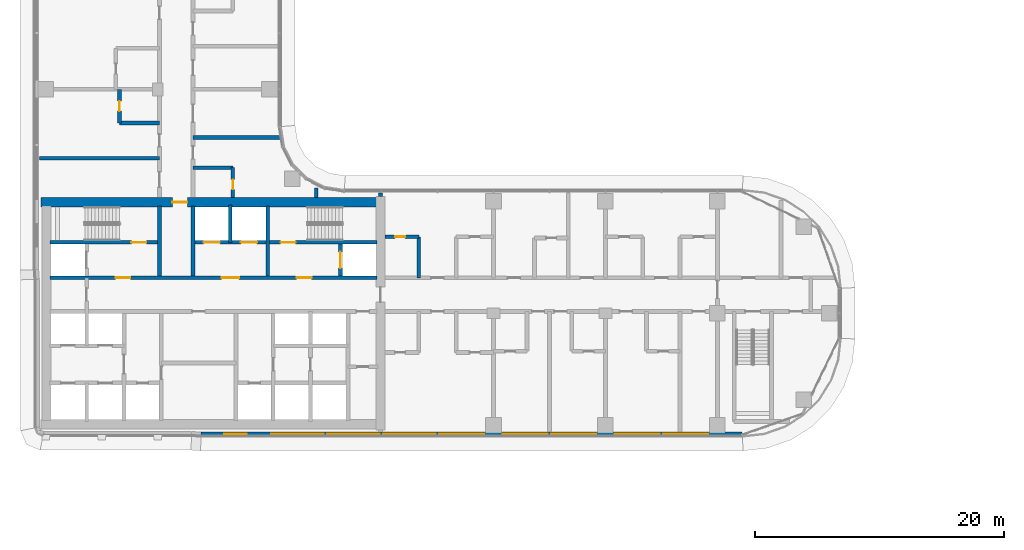
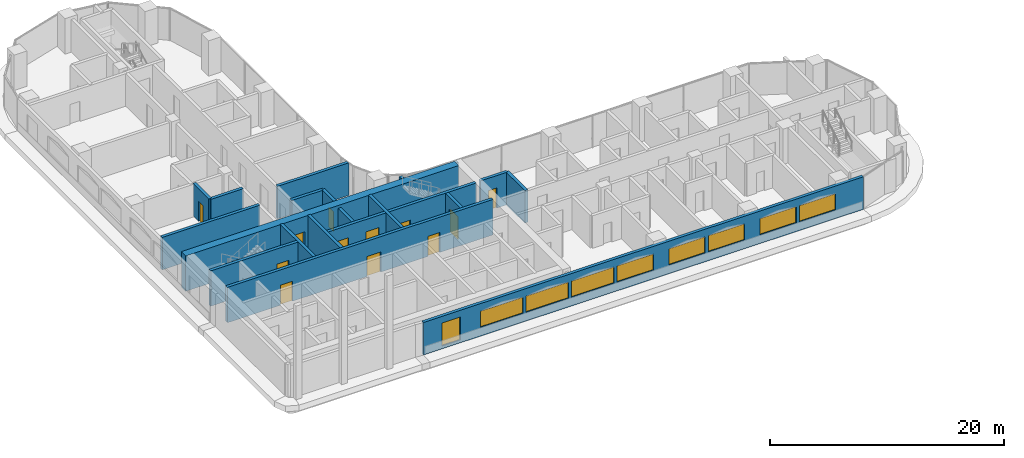
# One storey, part 21 of 40: 20 walls, 12 doors, 9 windows, 21 openings.
"""IFC4 building model written with IfcOpenShell, lengths in metres."""

from ifc_helpers import new_model, si_unit, direction, frame, frame_2d, origin, place, context, subcontext, project, spatial, rectangle, extrude, material, layer, layer_set, type_object, element, fill, save


model = new_model("IFC4")

# Units and contexts
model_context = context("Model", 3, precision=1e-05, world=origin(), true_north=direction((0.0, 1.0)))
body_context = subcontext(model_context, "Body", "Model", "MODEL_VIEW")
ifc_project = project(units=[si_unit("LENGTHUNIT", "METRE"), si_unit("AREAUNIT", "SQUARE_METRE"), si_unit("VOLUMEUNIT", "CUBIC_METRE"), si_unit("PLANEANGLEUNIT", "RADIAN"), si_unit("MASSUNIT", "GRAM", prefix="KILO")], contexts=[model_context])

# Site, building, storey
site_placement = place(None, origin())
site = spatial("IfcSite", under=ifc_project, at=site_placement, CompositionType="ELEMENT")
building_placement = place(site_placement, origin())
building = spatial("IfcBuilding", under=site, at=building_placement, Name="Ogive Portal Towers", CompositionType="ELEMENT")
storey_placement = place(building_placement, frame((0.0, 0.0, 87.10009765625)))
storey = spatial("IfcBuildingStorey", under=building, at=storey_placement, Name="L20", CompositionType="ELEMENT", Elevation=87.10009765625)

# Wall, openings, doors
ifc_material_1 = material(Name="Concrete C60/75", Category="concrete")
ifc_layer_1 = layer(ifc_material_1, 0.300048828125)
ifc_layer_set_1 = layer_set([ifc_layer_1], Name="CORE WALL 300 C60")
wall_type_1 = type_object("IfcWallType", Name="CORE WALL 300 C60", PredefinedType="SHEAR", material=ifc_layer_set_1)
wall_1_placement = place(storey_placement, frame((31.875, 33.35009765625, 0.0), z_axis=(0.0, 0.0, 1.0), x_axis=(1.0, 0.0, 0.0)))
wall_1 = element("IfcWall", 1, at=wall_1_placement, inside=storey, type_object=wall_type_1, Name="Core wall Y2 L20", PredefinedType="SHEAR", context=body_context, shape_type="SweptSolid", body=[
    extrude(rectangle(XDim=26.25, YDim=0.300048828125, at=frame_2d((13.125, 0.0))), origin(), (0.0, 0.0, 1.0), 3.699951171875),
])
opening_1_placement = place(wall_1_placement, frame((13.77490234375, 0.0, 0.0)))
opening_1 = element("IfcOpeningElement", 2, at=opening_1_placement, cuts=wall_1, Name="Opening D07-002", PredefinedType="OPENING", context=body_context, shape_type="SweptSolid", body=[
    extrude(rectangle(XDim=1.39990234375, YDim=2.10009765625, at=frame_2d((0.699951171875, 1.050048828125))), frame((0.0, 0.16015625, 0.0), z_axis=(0.0, -1.0, 0.0), x_axis=(1.0, 0.0, 0.0)), (0.0, 0.0, 1.0), 0.320068359375),
])
opening_2_placement = place(wall_1_placement, frame((5.25, 0.0, 0.0)))
opening_2 = element("IfcOpeningElement", 3, at=opening_2_placement, cuts=wall_1, Name="Opening D07-003", PredefinedType="OPENING", context=body_context, shape_type="SweptSolid", body=[
    extrude(rectangle(XDim=1.199951171875, YDim=2.10009765625, at=frame_2d((0.60009765625, 1.050048828125))), frame((0.0, 0.16015625, 0.0), z_axis=(0.0, -1.0, 0.0), x_axis=(1.0, 0.0, 0.0)), (0.0, 0.0, 1.0), 0.320068359375),
])
opening_3_placement = place(wall_1_placement, frame((19.800048828125, 0.0, 0.0)))
opening_3 = element("IfcOpeningElement", 4, at=opening_3_placement, cuts=wall_1, Name="Opening D07-004", PredefinedType="OPENING", context=body_context, shape_type="SweptSolid", body=[
    extrude(rectangle(XDim=1.199951171875, YDim=2.10009765625, at=frame_2d((0.60009765625, 1.050048828125))), frame((0.0, 0.16015625, 0.0), z_axis=(0.0, -1.0, 0.0), x_axis=(1.0, 0.0, 0.0)), (0.0, 0.0, 1.0), 0.320068359375),
])
ifc_material_2 = material(Name="Steel fire door", Category="steel")
door_type_1 = type_object("IfcDoorType", Name="DT-SWING-1200x2100-FD90S", OperationType="SINGLE_SWING_LEFT", PredefinedType="DOOR", material=ifc_material_2)
door_1_placement = place(opening_2_placement, origin())
door_1 = element("IfcDoor", 5, at=door_1_placement, inside=storey, type_object=door_type_1, Name="Door D07-003", OperationType="SINGLE_SWING_LEFT", OverallHeight=2.10009765625, OverallWidth=1.199951171875, PredefinedType="DOOR", context=body_context, shape_type="SweptSolid", body=[
    extrude(rectangle(XDim=1.199951171875, YDim=2.10009765625, at=frame_2d((0.60009765625, 1.050048828125))), frame((0.0, 0.02490234375, 0.0), z_axis=(0.0, -1.0, 0.0), x_axis=(1.0, 0.0, 0.0)), (0.0, 0.0, 1.0), 0.050048828125),
])
fill(opening_2, door_1)
door_2_placement = place(opening_3_placement, origin())
door_2 = element("IfcDoor", 6, at=door_2_placement, inside=storey, type_object=door_type_1, Name="Door D07-004", OperationType="SINGLE_SWING_RIGHT", OverallHeight=2.10009765625, OverallWidth=1.199951171875, PredefinedType="DOOR", context=body_context, shape_type="SweptSolid", body=[
    extrude(rectangle(XDim=1.199951171875, YDim=2.10009765625, at=frame_2d((0.60009765625, 1.050048828125))), frame((0.0, 0.02490234375, 0.0), z_axis=(0.0, -1.0, 0.0), x_axis=(1.0, 0.0, 0.0)), (0.0, 0.0, 1.0), 0.050048828125),
])
fill(opening_3, door_2)
door_type_2 = type_object("IfcDoorType", Name="DT-SWING-1400x2100-FD90S", OperationType="SINGLE_SWING_LEFT", PredefinedType="DOOR", material=ifc_material_2)
door_3_placement = place(opening_1_placement, origin())
door_3 = element("IfcDoor", 7, at=door_3_placement, inside=storey, type_object=door_type_2, Name="Door D07-002", OperationType="SINGLE_SWING_RIGHT", OverallHeight=2.10009765625, OverallWidth=1.39990234375, PredefinedType="DOOR", context=body_context, shape_type="SweptSolid", body=[
    extrude(rectangle(XDim=1.39990234375, YDim=2.10009765625, at=frame_2d((0.699951171875, 1.050048828125))), frame((0.0, 0.02490234375, 0.0), z_axis=(0.0, -1.0, 0.0), x_axis=(1.0, 0.0, 0.0)), (0.0, 0.0, 1.0), 0.050048828125),
])
fill(opening_1, door_3)

# Wall, opening, door
wall_2_placement = place(storey_placement, frame((31.875, 36.199951171875, 0.0), z_axis=(0.0, 0.0, 1.0), x_axis=(1.0, 0.0, 0.0)))
wall_2 = element("IfcWall", 8, at=wall_2_placement, inside=storey, type_object=wall_type_1, Name="Core wall Y3a L20", PredefinedType="SHEAR", context=body_context, shape_type="SweptSolid", body=[
    extrude(rectangle(XDim=8.625, YDim=0.300048828125, at=frame_2d((4.3125, 0.0))), origin(), (0.0, 0.0, 1.0), 3.699951171875),
])
opening_4_placement = place(wall_2_placement, frame((6.52490234375, 0.0, 0.0)))
opening_4 = element("IfcOpeningElement", 9, at=opening_4_placement, cuts=wall_2, Name="Opening D07-005", PredefinedType="OPENING", context=body_context, shape_type="SweptSolid", body=[
    extrude(rectangle(XDim=1.199951171875, YDim=2.10009765625, at=frame_2d((0.60009765625, 1.050048828125))), frame((0.0, 0.16015625, 0.0), z_axis=(0.0, -1.0, 0.0), x_axis=(1.0, 0.0, 0.0)), (0.0, 0.0, 1.0), 0.320068359375),
])
door_4_placement = place(opening_4_placement, origin())
door_4 = element("IfcDoor", 10, at=door_4_placement, inside=storey, type_object=door_type_1, Name="Door D07-005", OperationType="SINGLE_SWING_RIGHT", OverallHeight=2.10009765625, OverallWidth=1.199951171875, PredefinedType="DOOR", context=body_context, shape_type="SweptSolid", body=[
    extrude(rectangle(XDim=1.199951171875, YDim=2.10009765625, at=frame_2d((0.60009765625, 1.050048828125))), frame((0.0, 0.02490234375, 0.0), z_axis=(0.0, -1.0, 0.0), x_axis=(1.0, 0.0, 0.0)), (0.0, 0.0, 1.0), 0.050048828125),
])
fill(opening_4, door_4)

# Wall, openings, doors
wall_3_placement = place(storey_placement, frame((43.5, 36.199951171875, 0.0), z_axis=(0.0, 0.0, 1.0), x_axis=(1.0, 0.0, 0.0)))
wall_3 = element("IfcWall", 11, at=wall_3_placement, inside=storey, type_object=wall_type_1, Name="Core wall Y3b L20", PredefinedType="SHEAR", context=body_context, shape_type="SweptSolid", body=[
    extrude(rectangle(XDim=14.625, YDim=0.300048828125, at=frame_2d((7.3125, 0.0))), origin(), (0.0, 0.0, 1.0), 3.699951171875),
])
opening_5_placement = place(wall_3_placement, frame((6.89990234375, 0.0, 0.0)))
opening_5 = element("IfcOpeningElement", 12, at=opening_5_placement, cuts=wall_3, Name="Opening D07-006", PredefinedType="OPENING", context=body_context, shape_type="SweptSolid", body=[
    extrude(rectangle(XDim=1.199951171875, YDim=2.10009765625, at=frame_2d((0.60009765625, 1.050048828125))), frame((0.0, 0.16015625, 0.0), z_axis=(0.0, -1.0, 0.0), x_axis=(1.0, 0.0, 0.0)), (0.0, 0.0, 1.0), 0.320068359375),
])
opening_6_placement = place(wall_3_placement, frame((0.699951171875, 0.0, 0.0)))
opening_6 = element("IfcOpeningElement", 13, at=opening_6_placement, cuts=wall_3, Name="Opening D07-017", PredefinedType="OPENING", context=body_context, shape_type="SweptSolid", body=[
    extrude(rectangle(XDim=1.300048828125, YDim=2.39990234375, at=frame_2d((0.64990234375, 1.199951171875))), frame((0.0, 0.16015625, 0.0), z_axis=(0.0, -1.0, 0.0), x_axis=(1.0, 0.0, 0.0)), (0.0, 0.0, 1.0), 0.320068359375),
])
opening_7_placement = place(wall_3_placement, frame((3.699951171875, 0.0, 0.0)))
opening_7 = element("IfcOpeningElement", 14, at=opening_7_placement, cuts=wall_3, Name="Opening D07-018", PredefinedType="OPENING", context=body_context, shape_type="SweptSolid", body=[
    extrude(rectangle(XDim=1.300048828125, YDim=2.39990234375, at=frame_2d((0.64990234375, 1.199951171875))), frame((0.0, 0.16015625, 0.0), z_axis=(0.0, -1.0, 0.0), x_axis=(1.0, 0.0, 0.0)), (0.0, 0.0, 1.0), 0.320068359375),
])
ifc_material_3 = material(Name="Stainless steel", Category="steel")
door_type_3 = type_object("IfcDoorType", Name="DT-LD-1300x2400", OperationType="SLIDING_TO_LEFT", PredefinedType="DOOR", material=ifc_material_3)
door_5_placement = place(opening_6_placement, origin())
door_5 = element("IfcDoor", 15, at=door_5_placement, inside=storey, type_object=door_type_3, Name="Door D07-017", OperationType="SLIDING_TO_LEFT", OverallHeight=2.39990234375, OverallWidth=1.300048828125, PredefinedType="DOOR", context=body_context, shape_type="SweptSolid", body=[
    extrude(rectangle(XDim=1.300048828125, YDim=2.39990234375, at=frame_2d((0.64990234375, 1.199951171875))), frame((0.0, 0.02490234375, 0.0), z_axis=(0.0, -1.0, 0.0), x_axis=(1.0, 0.0, 0.0)), (0.0, 0.0, 1.0), 0.050048828125),
])
fill(opening_6, door_5)
door_6_placement = place(opening_7_placement, origin())
door_6 = element("IfcDoor", 16, at=door_6_placement, inside=storey, type_object=door_type_3, Name="Door D07-018", OperationType="SLIDING_TO_LEFT", OverallHeight=2.39990234375, OverallWidth=1.300048828125, PredefinedType="DOOR", context=body_context, shape_type="SweptSolid", body=[
    extrude(rectangle(XDim=1.300048828125, YDim=2.39990234375, at=frame_2d((0.64990234375, 1.199951171875))), frame((0.0, 0.02490234375, 0.0), z_axis=(0.0, -1.0, 0.0), x_axis=(1.0, 0.0, 0.0)), (0.0, 0.0, 1.0), 0.050048828125),
])
fill(opening_7, door_6)
door_7_placement = place(opening_5_placement, origin())
door_7 = element("IfcDoor", 17, at=door_7_placement, inside=storey, type_object=door_type_1, Name="Door D07-006", OperationType="SINGLE_SWING_LEFT", OverallHeight=2.10009765625, OverallWidth=1.199951171875, PredefinedType="DOOR", context=body_context, shape_type="SweptSolid", body=[
    extrude(rectangle(XDim=1.199951171875, YDim=2.10009765625, at=frame_2d((0.60009765625, 1.050048828125))), frame((0.0, 0.02490234375, 0.0), z_axis=(0.0, -1.0, 0.0), x_axis=(1.0, 0.0, 0.0)), (0.0, 0.0, 1.0), 0.050048828125),
])
fill(opening_5, door_7)

# Walls
for number, where, z_axis, x_axis, name in (
    (18, (40.64990234375, 33.5, 0.0), (0.0, 0.0, 1.0), (0.0, 1.0, 0.0), "Core wall X6 L20"),
    (19, (43.35009765625, 33.5, 0.0), (0.0, 0.0, 1.0), (0.0, 1.0, 0.0), "Core wall X7 L20"),
    (20, (49.35009765625, 33.5, 0.0), (0.0, 0.0, 1.0), (0.0, 1.0, 0.0), "Core wall X9 L20"),
):
    element("IfcWall", number, at=place(storey_placement, frame(where, z_axis=z_axis, x_axis=x_axis)), inside=storey, type_object=wall_type_1, Name=name, PredefinedType="SHEAR", context=body_context, shape_type="SweptSolid", body=[
        extrude(rectangle(XDim=5.625, YDim=0.300048828125, at=frame_2d((2.8125, 0.0))), origin(), (0.0, 0.0, 1.0), 3.699951171875),
    ])

# Wall, opening, door
wall_4_placement = place(storey_placement, frame((55.199951171875, 33.5, 0.0), z_axis=(0.0, 0.0, 1.0), x_axis=(0.0, 1.0, 0.0)))
wall_4 = element("IfcWall", 21, at=wall_4_placement, inside=storey, type_object=wall_type_1, Name="Core wall X10 L20", PredefinedType="SHEAR", context=body_context, shape_type="SweptSolid", body=[
    extrude(rectangle(XDim=2.550048828125, YDim=0.300048828125, at=frame_2d((1.27490234375, 0.0))), origin(), (0.0, 0.0, 1.0), 3.699951171875),
])
opening_8_placement = place(wall_4_placement, frame((0.625, 0.0, 0.0)))
opening_8 = element("IfcOpeningElement", 22, at=opening_8_placement, cuts=wall_4, Name="Opening D07-020", PredefinedType="OPENING", context=body_context, shape_type="SweptSolid", body=[
    extrude(rectangle(XDim=1.300048828125, YDim=2.39990234375, at=frame_2d((0.64990234375, 1.199951171875))), frame((0.0, 0.16015625, 0.0), z_axis=(0.0, -1.0, 0.0), x_axis=(1.0, 0.0, 0.0)), (0.0, 0.0, 1.0), 0.320068359375),
])
door_8_placement = place(opening_8_placement, origin())
door_8 = element("IfcDoor", 23, at=door_8_placement, inside=storey, type_object=door_type_3, Name="Door D07-020", OperationType="SLIDING_TO_LEFT", OverallHeight=2.39990234375, OverallWidth=1.300048828125, PredefinedType="DOOR", context=body_context, shape_type="SweptSolid", body=[
    extrude(rectangle(XDim=1.300048828125, YDim=2.39990234375, at=frame_2d((0.64990234375, 1.199951171875))), frame((0.0, 0.02490234375, 0.0), z_axis=(0.0, -1.0, 0.0), x_axis=(1.0, 0.0, 0.0)), (0.0, 0.0, 1.0), 0.050048828125),
])
fill(opening_8, door_8)

ifc_layer_2 = layer(ifc_material_1, 0.75)
ifc_layer_set_2 = layer_set([ifc_layer_2], Name="CORE WALL 750 C60")
wall_type_2 = type_object("IfcWallType", Name="CORE WALL 750 C60", PredefinedType="SHEAR", material=ifc_layer_set_2)
wall_5_placement = place(storey_placement, frame((31.125, 39.425048828125, 0.0), z_axis=(0.0, 0.0, 1.0), x_axis=(1.0, 0.0, 0.0)))
wall_5 = element("IfcWall", 24, at=wall_5_placement, inside=storey, type_object=wall_type_2, Name="Core wall N L20", PredefinedType="SHEAR", context=body_context, shape_type="SweptSolid", body=[
    extrude(rectangle(XDim=27.0, YDim=0.75, at=frame_2d((13.5, 0.0))), origin(), (0.0, 0.0, 1.0), 3.699951171875),
])
opening_9_placement = place(wall_5_placement, frame((10.574951171875, 0.0, 0.0)))
opening_9 = element("IfcOpeningElement", 25, at=opening_9_placement, cuts=wall_5, Name="Opening D07-012", PredefinedType="OPENING", context=body_context, shape_type="SweptSolid", body=[
    extrude(rectangle(XDim=1.199951171875, YDim=2.10009765625, at=frame_2d((0.60009765625, 1.050048828125))), frame((0.0, 0.385009765625, 0.0), z_axis=(0.0, -1.0, 0.0), x_axis=(1.0, 0.0, 0.0)), (0.0, 0.0, 1.0), 0.77001953125),
])
door_9_placement = place(opening_9_placement, origin())
door_9 = element("IfcDoor", 26, at=door_9_placement, inside=storey, type_object=door_type_1, Name="Door D07-012", OperationType="SINGLE_SWING_RIGHT", OverallHeight=2.10009765625, OverallWidth=1.199951171875, PredefinedType="DOOR", context=body_context, shape_type="SweptSolid", body=[
    extrude(rectangle(XDim=1.199951171875, YDim=2.10009765625, at=frame_2d((0.60009765625, 1.050048828125))), frame((0.0, 0.02490234375, 0.0), z_axis=(0.0, -1.0, 0.0), x_axis=(1.0, 0.0, 0.0)), (0.0, 0.0, 1.0), 0.050048828125),
])
fill(opening_9, door_9)

# Wall, openings, windows
ifc_material_4 = material(Name="Limestone cladding on lightweight block wall", Category="masonry")
ifc_layer_3 = layer(ifc_material_4, 0.300048828125)
ifc_layer_set_3 = layer_set([ifc_layer_3], Name="EXTERNAL WALL 300 STONE")
wall_type_3 = type_object("IfcWallType", Name="EXTERNAL WALL 300 STONE", PredefinedType="SOLIDWALL", material=ifc_layer_set_3)
wall_6_placement = place(storey_placement, frame((44.0107421875, 20.794921875, 0.0), z_axis=(0.0, 0.0, 1.0), x_axis=(1.0, 0.0, 0.0)))
wall_6 = element("IfcWall", 27, at=wall_6_placement, inside=storey, type_object=wall_type_3, Name="A:L20:f05:r0:wall", PredefinedType="SOLIDWALL", context=body_context, shape_type="SweptSolid", body=[
    extrude(rectangle(XDim=43.4755859375, YDim=0.300048828125, at=frame_2d((21.73779296875, 0.0))), origin(), (0.0, 0.0, 1.0), 3.39990234375),
])
opening_10_placement = place(wall_6_placement, frame((1.8447265625, 0.0, 0.300048828125)))
opening_10 = element("IfcOpeningElement", 28, at=opening_10_placement, cuts=wall_6, Name="Opening WN10", PredefinedType="OPENING", context=body_context, shape_type="SweptSolid", body=[
    extrude(rectangle(XDim=1.800048828125, YDim=2.39990234375, at=frame_2d((0.89990234375, 1.199951171875))), frame((0.0, 0.16015625, 0.0), z_axis=(0.0, -1.0, 0.0), x_axis=(1.0, 0.0, 0.0)), (0.0, 0.0, 1.0), 0.320068359375),
])
opening_11_placement = place(wall_6_placement, frame((5.639404296875, 0.0, 0.89990234375)))
opening_11 = element("IfcOpeningElement", 29, at=opening_11_placement, cuts=wall_6, Name="Opening WN13", PredefinedType="OPENING", context=body_context, shape_type="SweptSolid", body=[
    extrude(rectangle(XDim=4.199951171875, YDim=1.699951171875, at=frame_2d((2.10009765625, 0.85009765625))), frame((0.0, 0.16015625, 0.0), z_axis=(0.0, -1.0, 0.0), x_axis=(1.0, 0.0, 0.0)), (0.0, 0.0, 1.0), 0.320068359375),
])
opening_12_placement = place(wall_6_placement, frame((10.139404296875, 0.0, 0.89990234375)))
opening_12 = element("IfcOpeningElement", 30, at=opening_12_placement, cuts=wall_6, Name="Opening WN13", PredefinedType="OPENING", context=body_context, shape_type="SweptSolid", body=[
    extrude(rectangle(XDim=4.199951171875, YDim=1.699951171875, at=frame_2d((2.10009765625, 0.85009765625))), frame((0.0, 0.16015625, 0.0), z_axis=(0.0, -1.0, 0.0), x_axis=(1.0, 0.0, 0.0)), (0.0, 0.0, 1.0), 0.320068359375),
])
opening_13_placement = place(wall_6_placement, frame((14.639404296875, 0.0, 0.89990234375)))
opening_13 = element("IfcOpeningElement", 31, at=opening_13_placement, cuts=wall_6, Name="Opening WN13", PredefinedType="OPENING", context=body_context, shape_type="SweptSolid", body=[
    extrude(rectangle(XDim=4.199951171875, YDim=1.699951171875, at=frame_2d((2.10009765625, 0.85009765625))), frame((0.0, 0.16015625, 0.0), z_axis=(0.0, -1.0, 0.0), x_axis=(1.0, 0.0, 0.0)), (0.0, 0.0, 1.0), 0.320068359375),
])
opening_14_placement = place(wall_6_placement, frame((19.139404296875, 0.0, 0.89990234375)))
opening_14 = element("IfcOpeningElement", 32, at=opening_14_placement, cuts=wall_6, Name="Opening WN14", PredefinedType="OPENING", context=body_context, shape_type="SweptSolid", body=[
    extrude(rectangle(XDim=3.60009765625, YDim=1.699951171875, at=frame_2d((1.800048828125, 0.85009765625))), frame((0.0, 0.16015625, 0.0), z_axis=(0.0, -1.0, 0.0), x_axis=(1.0, 0.0, 0.0)), (0.0, 0.0, 1.0), 0.320068359375),
])
opening_15_placement = place(wall_6_placement, frame((24.2392578125, 0.0, 0.89990234375)))
opening_15 = element("IfcOpeningElement", 33, at=opening_15_placement, cuts=wall_6, Name="Opening WN14", PredefinedType="OPENING", context=body_context, shape_type="SweptSolid", body=[
    extrude(rectangle(XDim=3.60009765625, YDim=1.699951171875, at=frame_2d((1.800048828125, 0.85009765625))), frame((0.0, 0.16015625, 0.0), z_axis=(0.0, -1.0, 0.0), x_axis=(1.0, 0.0, 0.0)), (0.0, 0.0, 1.0), 0.320068359375),
])
opening_16_placement = place(wall_6_placement, frame((28.139404296875, 0.0, 0.89990234375)))
opening_16 = element("IfcOpeningElement", 34, at=opening_16_placement, cuts=wall_6, Name="Opening WN14", PredefinedType="OPENING", context=body_context, shape_type="SweptSolid", body=[
    extrude(rectangle(XDim=3.60009765625, YDim=1.699951171875, at=frame_2d((1.800048828125, 0.85009765625))), frame((0.0, 0.16015625, 0.0), z_axis=(0.0, -1.0, 0.0), x_axis=(1.0, 0.0, 0.0)), (0.0, 0.0, 1.0), 0.320068359375),
])
opening_17_placement = place(wall_6_placement, frame((33.2392578125, 0.0, 0.89990234375)))
opening_17 = element("IfcOpeningElement", 35, at=opening_17_placement, cuts=wall_6, Name="Opening WN14", PredefinedType="OPENING", context=body_context, shape_type="SweptSolid", body=[
    extrude(rectangle(XDim=3.60009765625, YDim=1.699951171875, at=frame_2d((1.800048828125, 0.85009765625))), frame((0.0, 0.16015625, 0.0), z_axis=(0.0, -1.0, 0.0), x_axis=(1.0, 0.0, 0.0)), (0.0, 0.0, 1.0), 0.320068359375),
])
opening_18_placement = place(wall_6_placement, frame((37.139404296875, 0.0, 0.89990234375)))
opening_18 = element("IfcOpeningElement", 36, at=opening_18_placement, cuts=wall_6, Name="Opening WN14", PredefinedType="OPENING", context=body_context, shape_type="SweptSolid", body=[
    extrude(rectangle(XDim=3.60009765625, YDim=1.699951171875, at=frame_2d((1.800048828125, 0.85009765625))), frame((0.0, 0.16015625, 0.0), z_axis=(0.0, -1.0, 0.0), x_axis=(1.0, 0.0, 0.0)), (0.0, 0.0, 1.0), 0.320068359375),
])
ifc_material_5 = material(Name="Glass, clear low-iron insulated glazing", Category="glass")
window_type_1 = type_object("IfcWindowType", Name="WINDOW RIBBON LANCET 3600x1700", PartitioningType="TRIPLE_PANEL_VERTICAL", PredefinedType="WINDOW", material=ifc_material_5)
window_1_placement = place(opening_14_placement, origin())
window_1 = element("IfcWindow", 37, at=window_1_placement, inside=storey, type_object=window_type_1, Name="A:L20:f05:r0:w4", OverallHeight=1.699951171875, OverallWidth=3.60009765625, PartitioningType="SINGLE_PANEL", PredefinedType="WINDOW", context=body_context, shape_type="SweptSolid", body=[
    extrude(rectangle(XDim=3.60009765625, YDim=1.699951171875, at=frame_2d((1.800048828125, 0.85009765625))), frame((0.0, 0.030029296875, 0.0), z_axis=(0.0, -1.0, 0.0), x_axis=(1.0, 0.0, 0.0)), (0.0, 0.0, 1.0), 0.06005859375),
])
fill(opening_14, window_1)
window_2_placement = place(opening_15_placement, origin())
window_2 = element("IfcWindow", 38, at=window_2_placement, inside=storey, type_object=window_type_1, Name="A:L20:f05:r0:w5", OverallHeight=1.699951171875, OverallWidth=3.60009765625, PartitioningType="SINGLE_PANEL", PredefinedType="WINDOW", context=body_context, shape_type="SweptSolid", body=[
    extrude(rectangle(XDim=3.60009765625, YDim=1.699951171875, at=frame_2d((1.800048828125, 0.85009765625))), frame((0.0, 0.030029296875, 0.0), z_axis=(0.0, -1.0, 0.0), x_axis=(1.0, 0.0, 0.0)), (0.0, 0.0, 1.0), 0.06005859375),
])
fill(opening_15, window_2)
window_3_placement = place(opening_16_placement, origin())
window_3 = element("IfcWindow", 39, at=window_3_placement, inside=storey, type_object=window_type_1, Name="A:L20:f05:r0:w6", OverallHeight=1.699951171875, OverallWidth=3.60009765625, PartitioningType="SINGLE_PANEL", PredefinedType="WINDOW", context=body_context, shape_type="SweptSolid", body=[
    extrude(rectangle(XDim=3.60009765625, YDim=1.699951171875, at=frame_2d((1.800048828125, 0.85009765625))), frame((0.0, 0.030029296875, 0.0), z_axis=(0.0, -1.0, 0.0), x_axis=(1.0, 0.0, 0.0)), (0.0, 0.0, 1.0), 0.06005859375),
])
fill(opening_16, window_3)
window_4_placement = place(opening_17_placement, origin())
window_4 = element("IfcWindow", 40, at=window_4_placement, inside=storey, type_object=window_type_1, Name="A:L20:f05:r0:w7", OverallHeight=1.699951171875, OverallWidth=3.60009765625, PartitioningType="SINGLE_PANEL", PredefinedType="WINDOW", context=body_context, shape_type="SweptSolid", body=[
    extrude(rectangle(XDim=3.60009765625, YDim=1.699951171875, at=frame_2d((1.800048828125, 0.85009765625))), frame((0.0, 0.030029296875, 0.0), z_axis=(0.0, -1.0, 0.0), x_axis=(1.0, 0.0, 0.0)), (0.0, 0.0, 1.0), 0.06005859375),
])
fill(opening_17, window_4)
window_5_placement = place(opening_18_placement, origin())
window_5 = element("IfcWindow", 41, at=window_5_placement, inside=storey, type_object=window_type_1, Name="A:L20:f05:r0:w8", OverallHeight=1.699951171875, OverallWidth=3.60009765625, PartitioningType="SINGLE_PANEL", PredefinedType="WINDOW", context=body_context, shape_type="SweptSolid", body=[
    extrude(rectangle(XDim=3.60009765625, YDim=1.699951171875, at=frame_2d((1.800048828125, 0.85009765625))), frame((0.0, 0.030029296875, 0.0), z_axis=(0.0, -1.0, 0.0), x_axis=(1.0, 0.0, 0.0)), (0.0, 0.0, 1.0), 0.06005859375),
])
fill(opening_18, window_5)
window_type_2 = type_object("IfcWindowType", Name="WINDOW RIBBON LANCET 4200x1700", PartitioningType="TRIPLE_PANEL_VERTICAL", PredefinedType="WINDOW", material=ifc_material_5)
window_6_placement = place(opening_11_placement, origin())
window_6 = element("IfcWindow", 42, at=window_6_placement, inside=storey, type_object=window_type_2, Name="A:L20:f05:r0:w1", OverallHeight=1.699951171875, OverallWidth=4.199951171875, PartitioningType="SINGLE_PANEL", PredefinedType="WINDOW", context=body_context, shape_type="SweptSolid", body=[
    extrude(rectangle(XDim=4.199951171875, YDim=1.699951171875, at=frame_2d((2.10009765625, 0.85009765625))), frame((0.0, 0.030029296875, 0.0), z_axis=(0.0, -1.0, 0.0), x_axis=(1.0, 0.0, 0.0)), (0.0, 0.0, 1.0), 0.06005859375),
])
fill(opening_11, window_6)
window_7_placement = place(opening_12_placement, origin())
window_7 = element("IfcWindow", 43, at=window_7_placement, inside=storey, type_object=window_type_2, Name="A:L20:f05:r0:w2", OverallHeight=1.699951171875, OverallWidth=4.199951171875, PartitioningType="SINGLE_PANEL", PredefinedType="WINDOW", context=body_context, shape_type="SweptSolid", body=[
    extrude(rectangle(XDim=4.199951171875, YDim=1.699951171875, at=frame_2d((2.10009765625, 0.85009765625))), frame((0.0, 0.030029296875, 0.0), z_axis=(0.0, -1.0, 0.0), x_axis=(1.0, 0.0, 0.0)), (0.0, 0.0, 1.0), 0.06005859375),
])
fill(opening_12, window_7)
window_8_placement = place(opening_13_placement, origin())
window_8 = element("IfcWindow", 44, at=window_8_placement, inside=storey, type_object=window_type_2, Name="A:L20:f05:r0:w3", OverallHeight=1.699951171875, OverallWidth=4.199951171875, PartitioningType="SINGLE_PANEL", PredefinedType="WINDOW", context=body_context, shape_type="SweptSolid", body=[
    extrude(rectangle(XDim=4.199951171875, YDim=1.699951171875, at=frame_2d((2.10009765625, 0.85009765625))), frame((0.0, 0.030029296875, 0.0), z_axis=(0.0, -1.0, 0.0), x_axis=(1.0, 0.0, 0.0)), (0.0, 0.0, 1.0), 0.06005859375),
])
fill(opening_13, window_8)
window_type_3 = type_object("IfcWindowType", Name="WINDOW SUITE CORNER 1800x2400", PartitioningType="DOUBLE_PANEL_VERTICAL", PredefinedType="WINDOW", material=ifc_material_5)
window_9_placement = place(opening_10_placement, origin())
window_9 = element("IfcWindow", 45, at=window_9_placement, inside=storey, type_object=window_type_3, Name="A:L20:f05:r0:w0", OverallHeight=2.39990234375, OverallWidth=1.800048828125, PartitioningType="SINGLE_PANEL", PredefinedType="WINDOW", context=body_context, shape_type="SweptSolid", body=[
    extrude(rectangle(XDim=1.800048828125, YDim=2.39990234375, at=frame_2d((0.89990234375, 1.199951171875))), frame((0.0, 0.030029296875, 0.0), z_axis=(0.0, -1.0, 0.0), x_axis=(1.0, 0.0, 0.0)), (0.0, 0.0, 1.0), 0.06005859375),
])
fill(opening_10, window_9)

# Wall
ifc_material_6 = material(Name="Gypsum board partition on steel studs", Category="steel")
ifc_layer_4 = layer(ifc_material_6, 0.300048828125)
ifc_layer_set_4 = layer_set([ifc_layer_4], Name="WT-PART-300-EI 120")
wall_type_4 = type_object("IfcWallType", Name="WT-PART-300-EI 120", PredefinedType="PARTITIONING", material=ifc_layer_set_4)
wall_7_placement = place(storey_placement, frame((58.425048828125, 39.875, 0.0), z_axis=(0.0, 0.0, 1.0), x_axis=(0.0, 1.0, 0.0)))
element("IfcWall", 46, at=wall_7_placement, inside=storey, type_object=wall_type_4, Name="Wall L20:wc02", PredefinedType="PARTITIONING", context=body_context, shape_type="SweptSolid", body=[
    extrude(rectangle(XDim=0.31005859375, YDim=0.300048828125, at=frame_2d((0.155029296875, 0.0))), origin(), (0.0, 0.0, 1.0), 3.39990234375),
])

# Wall, opening, door
ifc_layer_5 = layer(ifc_material_6, 0.300048828125)
ifc_layer_set_5 = layer_set([ifc_layer_5], Name="WT-PART-300-EI 60")
wall_type_5 = type_object("IfcWallType", Name="WT-PART-300-EI 60", PredefinedType="PARTITIONING", material=ifc_layer_set_5)
wall_8_placement = place(storey_placement, frame((58.800048828125, 36.64990234375, 0.0), z_axis=(0.0, 0.0, 1.0), x_axis=(1.0, 0.0, 0.0)))
wall_8 = element("IfcWall", 47, at=wall_8_placement, inside=storey, type_object=wall_type_5, Name="Wall L20:w012", PredefinedType="PARTITIONING", context=body_context, shape_type="SweptSolid", body=[
    extrude(rectangle(XDim=2.699951171875, YDim=0.300048828125, at=frame_2d((1.35009765625, 0.0))), origin(), (0.0, 0.0, 1.0), 3.39990234375),
])
opening_19_placement = place(wall_8_placement, frame((0.800048828125, 0.0, 0.0)))
opening_19 = element("IfcOpeningElement", 48, at=opening_19_placement, cuts=wall_8, Name="Opening D07-026", PredefinedType="OPENING", context=body_context, shape_type="SweptSolid", body=[
    extrude(rectangle(XDim=0.800048828125, YDim=2.10009765625, at=frame_2d((0.39990234375, 1.050048828125))), frame((0.0, 0.16015625, 0.0), z_axis=(0.0, -1.0, 0.0), x_axis=(1.0, 0.0, 0.0)), (0.0, 0.0, 1.0), 0.320068359375),
])
door_type_4 = type_object("IfcDoorType", Name="DT-BATH-800x2100-FD60S", OperationType="SINGLE_SWING_LEFT", PredefinedType="DOOR", material=ifc_material_2)
door_10_placement = place(opening_19_placement, origin())
door_10 = element("IfcDoor", 49, at=door_10_placement, inside=storey, type_object=door_type_4, Name="Door D07-026", OperationType="SINGLE_SWING_LEFT", OverallHeight=2.10009765625, OverallWidth=0.800048828125, PredefinedType="DOOR", context=body_context, shape_type="SweptSolid", body=[
    extrude(rectangle(XDim=0.800048828125, YDim=2.10009765625, at=frame_2d((0.39990234375, 1.050048828125))), frame((0.0, 0.02490234375, 0.0), z_axis=(0.0, -1.0, 0.0), x_axis=(1.0, 0.0, 0.0)), (0.0, 0.0, 1.0), 0.050048828125),
])
fill(opening_19, door_10)

# Walls
wall_9_placement = place(storey_placement, frame((43.35009765625, 42.199951171875, 0.0), z_axis=(0.0, 0.0, 1.0), x_axis=(1.0, 0.0, 0.0)))
element("IfcWall", 50, at=wall_9_placement, inside=storey, type_object=wall_type_5, Name="Wall L20:w016", PredefinedType="PARTITIONING", context=body_context, shape_type="SweptSolid", body=[
    extrude(rectangle(XDim=3.199951171875, YDim=0.300048828125, at=frame_2d((1.60009765625, 0.0))), origin(), (0.0, 0.0, 1.0), 3.39990234375),
])
wall_10_placement = place(storey_placement, frame((30.9951171875, 42.969970703125, 0.0), z_axis=(0.0, 0.0, 1.0), x_axis=(1.0, 0.0, 0.0)))
element("IfcWall", 51, at=wall_10_placement, inside=storey, type_object=wall_type_5, Name="Wall L20:w017", PredefinedType="PARTITIONING", context=body_context, shape_type="SweptSolid", body=[
    extrude(rectangle(XDim=9.65478515625, YDim=0.300048828125, at=frame_2d((4.827392578125, 0.0))), origin(), (0.0, 0.0, 1.0), 3.39990234375),
])
wall_11_placement = place(storey_placement, frame((43.35009765625, 44.6298828125, 0.0), z_axis=(0.0, 0.0, 1.0), x_axis=(1.0, 0.0, 0.0)))
element("IfcWall", 52, at=wall_11_placement, inside=storey, type_object=wall_type_5, Name="Wall L20:w018", PredefinedType="PARTITIONING", context=body_context, shape_type="SweptSolid", body=[
    extrude(rectangle(XDim=7.031982421875, YDim=0.300048828125, at=frame_2d((3.51611328125, 0.0))), origin(), (0.0, 0.0, 1.0), 3.39990234375),
])
wall_12_placement = place(storey_placement, frame((37.449951171875, 45.800048828125, 0.0), z_axis=(0.0, 0.0, 1.0), x_axis=(1.0, 0.0, 0.0)))
element("IfcWall", 53, at=wall_12_placement, inside=storey, type_object=wall_type_5, Name="Wall L20:w019", PredefinedType="PARTITIONING", context=body_context, shape_type="SweptSolid", body=[
    extrude(rectangle(XDim=3.199951171875, YDim=0.300048828125, at=frame_2d((1.60009765625, 0.0))), origin(), (0.0, 0.0, 1.0), 3.39990234375),
])

# Wall, opening, door
wall_13_placement = place(storey_placement, frame((37.449951171875, 45.800048828125, 0.0), z_axis=(0.0, 0.0, 1.0), x_axis=(0.0, 1.0, 0.0)))
wall_13 = element("IfcWall", 54, at=wall_13_placement, inside=storey, type_object=wall_type_5, Name="Wall L20:w034", PredefinedType="PARTITIONING", context=body_context, shape_type="SweptSolid", body=[
    extrude(rectangle(XDim=2.699951171875, YDim=0.300048828125, at=frame_2d((1.35009765625, 0.0))), origin(), (0.0, 0.0, 1.0), 3.39990234375),
])
opening_20_placement = place(wall_13_placement, frame((0.949951171875, 0.0, 0.0)))
opening_20 = element("IfcOpeningElement", 55, at=opening_20_placement, cuts=wall_13, Name="Opening D07-049", PredefinedType="OPENING", context=body_context, shape_type="SweptSolid", body=[
    extrude(rectangle(XDim=0.800048828125, YDim=2.10009765625, at=frame_2d((0.39990234375, 1.050048828125))), frame((0.0, 0.16015625, 0.0), z_axis=(0.0, -1.0, 0.0), x_axis=(1.0, 0.0, 0.0)), (0.0, 0.0, 1.0), 0.320068359375),
])
door_11_placement = place(opening_20_placement, origin())
door_11 = element("IfcDoor", 56, at=door_11_placement, inside=storey, type_object=door_type_4, Name="Door D07-049", OperationType="SINGLE_SWING_LEFT", OverallHeight=2.10009765625, OverallWidth=0.800048828125, PredefinedType="DOOR", context=body_context, shape_type="SweptSolid", body=[
    extrude(rectangle(XDim=0.800048828125, YDim=2.10009765625, at=frame_2d((0.39990234375, 1.050048828125))), frame((0.0, 0.02490234375, 0.0), z_axis=(0.0, -1.0, 0.0), x_axis=(1.0, 0.0, 0.0)), (0.0, 0.0, 1.0), 0.050048828125),
])
fill(opening_20, door_11)

wall_14_placement = place(storey_placement, frame((46.550048828125, 39.800048828125, 0.0), z_axis=(0.0, 0.0, 1.0), x_axis=(0.0, 1.0, 0.0)))
wall_14 = element("IfcWall", 57, at=wall_14_placement, inside=storey, type_object=wall_type_5, Name="Wall L20:w040", PredefinedType="PARTITIONING", context=body_context, shape_type="SweptSolid", body=[
    extrude(rectangle(XDim=2.39990234375, YDim=0.300048828125, at=frame_2d((1.199951171875, 0.0))), origin(), (0.0, 0.0, 1.0), 3.39990234375),
])
opening_21_placement = place(wall_14_placement, frame((0.64990234375, 0.0, 0.0)))
opening_21 = element("IfcOpeningElement", 58, at=opening_21_placement, cuts=wall_14, Name="Opening D07-045", PredefinedType="OPENING", context=body_context, shape_type="SweptSolid", body=[
    extrude(rectangle(XDim=0.800048828125, YDim=2.10009765625, at=frame_2d((0.39990234375, 1.050048828125))), frame((0.0, 0.16015625, 0.0), z_axis=(0.0, -1.0, 0.0), x_axis=(1.0, 0.0, 0.0)), (0.0, 0.0, 1.0), 0.320068359375),
])
door_12_placement = place(opening_21_placement, origin())
door_12 = element("IfcDoor", 59, at=door_12_placement, inside=storey, type_object=door_type_4, Name="Door D07-045", OperationType="SINGLE_SWING_RIGHT", OverallHeight=2.10009765625, OverallWidth=0.800048828125, PredefinedType="DOOR", context=body_context, shape_type="SweptSolid", body=[
    extrude(rectangle(XDim=0.800048828125, YDim=2.10009765625, at=frame_2d((0.39990234375, 1.050048828125))), frame((0.0, 0.02490234375, 0.0), z_axis=(0.0, -1.0, 0.0), x_axis=(1.0, 0.0, 0.0)), (0.0, 0.0, 1.0), 0.050048828125),
])
fill(opening_21, door_12)

# Walls
wall_15_placement = place(storey_placement, frame((53.25, 39.800048828125, 0.0), z_axis=(0.0, 0.0, 1.0), x_axis=(0.0, 1.0, 0.0)))
element("IfcWall", 60, at=wall_15_placement, inside=storey, type_object=wall_type_5, Name="Wall L20:w043", PredefinedType="PARTITIONING", context=body_context, shape_type="SweptSolid", body=[
    extrude(rectangle(XDim=0.75, YDim=0.300048828125, at=frame_2d((0.375, 0.0))), origin(), (0.0, 0.0, 1.0), 3.39990234375),
])
wall_16_placement = place(storey_placement, frame((61.5, 33.35009765625, 0.0), z_axis=(0.0, 0.0, 1.0), x_axis=(0.0, 1.0, 0.0)))
element("IfcWall", 61, at=wall_16_placement, inside=storey, type_object=wall_type_5, Name="Wall L20:w045", PredefinedType="PARTITIONING", context=body_context, shape_type="SweptSolid", body=[
    extrude(rectangle(XDim=3.2998046875, YDim=0.300048828125, at=frame_2d((1.64990234375, 0.0))), origin(), (0.0, 0.0, 1.0), 3.39990234375),
])
ifc_material_7 = material(Name="Concrete C40/50", Category="concrete")
ifc_layer_6 = layer(ifc_material_7, 0.300048828125)
ifc_layer_set_6 = layer_set([ifc_layer_6], Name="WT-SHAFT-300")
wall_type_6 = type_object("IfcWallType", Name="WT-SHAFT-300", PredefinedType="SOLIDWALL", material=ifc_layer_set_6)
wall_17_placement = place(storey_placement, frame((46.35009765625, 36.199951171875, 0.0), z_axis=(0.0, 0.0, 1.0), x_axis=(0.0, 1.0, 0.0)))
element("IfcWall", 62, at=wall_17_placement, inside=storey, type_object=wall_type_6, Name="Wall pw:009:L20", PredefinedType="SOLIDWALL", context=body_context, shape_type="SweptSolid", body=[
    extrude(rectangle(XDim=3.0, YDim=0.300048828125, at=frame_2d((1.5, 0.0))), origin(), (0.0, 0.0, 1.0), 3.39990234375),
])

save(model, "model.ifc")
